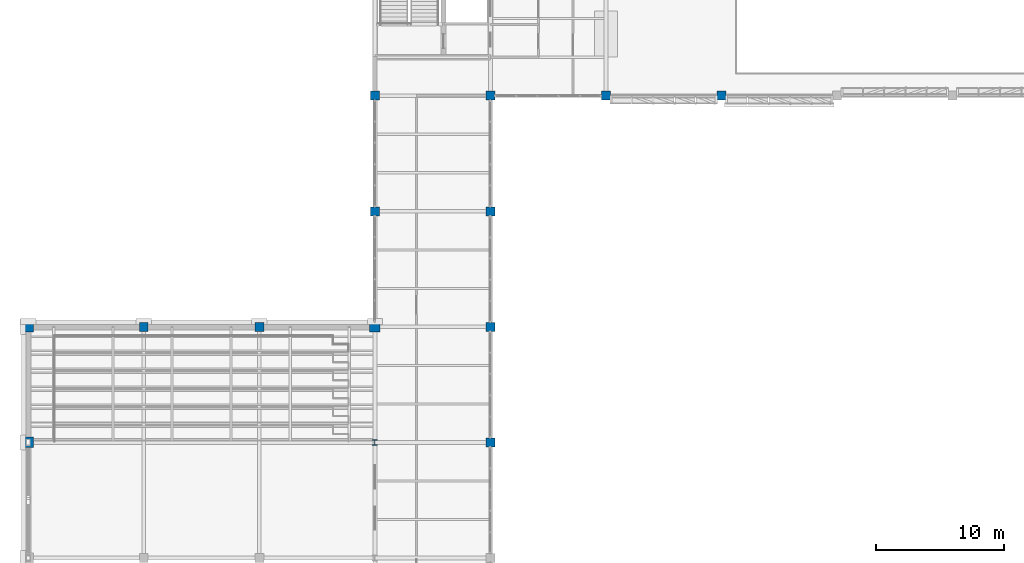
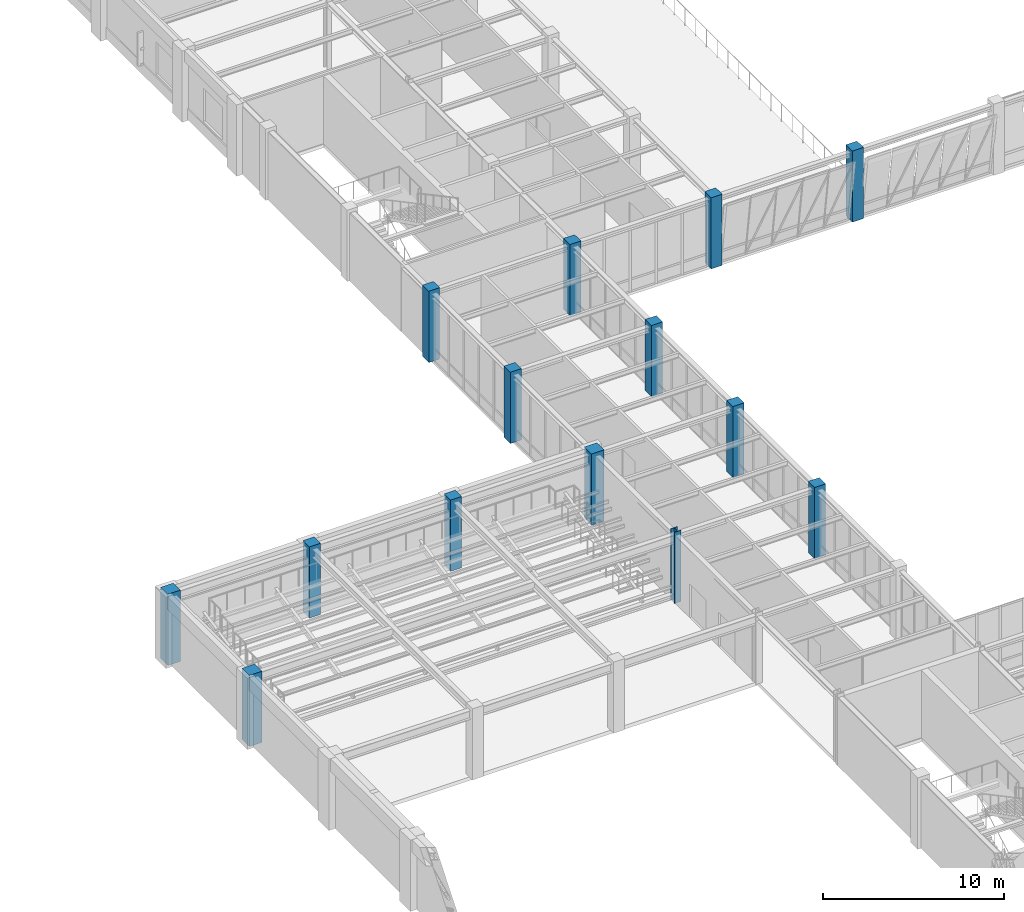
# One storey, part 3 of 98: 14 columns.
"""IFC4 building model written with IfcOpenShell, lengths in metres."""

from ifc_helpers import new_model, si_unit, direction, frame, origin, origin_2d, place, context, subcontext, project, spatial, rectangle, i_section, extrude, material, material_profile, profile_set, type_object, element, save


model = new_model("IFC4")

# Units and contexts
model_context = context("Model", 3, precision=1e-05, world=origin(), true_north=direction((0.0, 1.0)))
body_context = subcontext(model_context, "Body", "Model", "MODEL_VIEW")
ifc_project = project(units=[si_unit("LENGTHUNIT", "METRE"), si_unit("AREAUNIT", "SQUARE_METRE"), si_unit("VOLUMEUNIT", "CUBIC_METRE"), si_unit("PLANEANGLEUNIT", "RADIAN"), si_unit("MASSUNIT", "GRAM", prefix="KILO")], contexts=[model_context])

# Site, building, storey
site_placement = place(None, origin())
site = spatial("IfcSite", under=ifc_project, at=site_placement, CompositionType="ELEMENT")
building_placement = place(site_placement, origin())
building = spatial("IfcBuilding", under=site, at=building_placement, Name="Lykobir Media Centre", CompositionType="ELEMENT")
storey_placement = place(building_placement, frame((0.0, 0.0, 10.199951171875)))
storey = spatial("IfcBuildingStorey", under=building, at=storey_placement, Name="L02", CompositionType="ELEMENT", Elevation=10.199951171875)

# Columns
ifc_material_1 = material(Name="Concrete C40/50", Category="concrete")
ifc_material_profile_1 = material_profile(ifc_material_1, rectangle(XDim=0.699951171875, YDim=0.699951171875, at=origin_2d()), Name="RC 700x700")
ifc_profile_set_1 = profile_set([ifc_material_profile_1], Name="Concrete C40/50")
column_type_1 = type_object("IfcColumnType", Name="RC-C700", PredefinedType="COLUMN", material=ifc_profile_set_1)
for number, where, z_axis, x_axis, name in (
    (1, (9.0, 45.0, 0.0), (0.0, 0.0, 1.0), (1.0, 0.0, 0.0), "Column COL-L02-0090-0450"),
    (2, (18.0, 45.0, 0.0), (0.0, 0.0, 1.0), (1.0, 0.0, 0.0), "Column COL-L02-0180-0450"),
    (3, (27.0, 54.0, 0.0), (0.0, 0.0, 1.0), (1.0, 0.0, 0.0), "Column COL-L02-0270-0540"),
    (4, (27.0, 63.0, 0.0), (0.0, 0.0, 1.0), (1.0, 0.0, 0.0), "Column COL-L02-0270-0630"),
    (5, (36.0, 36.0, 0.0), (0.0, 0.0, 1.0), (1.0, 0.0, 0.0), "Column COL-L02-0360-0360"),
    (6, (36.0, 45.0, 0.0), (0.0, 0.0, 1.0), (1.0, 0.0, 0.0), "Column COL-L02-0360-0450"),
    (7, (36.0, 54.0, 0.0), (0.0, 0.0, 1.0), (1.0, 0.0, 0.0), "Column COL-L02-0360-0540"),
    (8, (36.0, 63.0, 0.0), (0.0, 0.0, 1.0), (1.0, 0.0, 0.0), "Column COL-L02-0360-0630"),
    (9, (45.0, 63.0, 0.0), (0.0, 0.0, 1.0), (1.0, 0.0, 0.0), "Column COL-L02-0450-0630"),
    (10, (54.0, 63.0, 0.0), (0.0, 0.0, 1.0), (1.0, 0.0, 0.0), "Column COL-L02-0540-0630"),
):
    element("IfcColumn", number, at=place(storey_placement, frame(where, z_axis=z_axis, x_axis=x_axis)), inside=storey, type_object=column_type_1, Name=name, PredefinedType="COLUMN", context=body_context, shape_type="SweptSolid", body=[
        extrude(rectangle(XDim=0.699951171875, YDim=0.699951171875, at=origin_2d()), origin(), (0.0, 0.0, 1.0), 4.800048828125),
    ])
ifc_material_profile_2 = material_profile(ifc_material_1, rectangle(XDim=0.800048828125, YDim=0.800048828125, at=origin_2d()), Name="RC 800x800")
ifc_profile_set_2 = profile_set([ifc_material_profile_2], Name="Concrete C40/50")
column_type_2 = type_object("IfcColumnType", Name="RC-C800", PredefinedType="COLUMN", material=ifc_profile_set_2)
column_1_placement = place(storey_placement, frame((27.0, 45.0, 0.0), z_axis=(0.0, 0.0, 1.0), x_axis=(1.0, 0.0, 0.0)))
element("IfcColumn", 11, at=column_1_placement, inside=storey, type_object=column_type_2, Name="Column COL-L02-0270-0450", PredefinedType="COLUMN", context=body_context, shape_type="SweptSolid", body=[
    extrude(rectangle(XDim=0.800048828125, YDim=0.800048828125, at=origin_2d()), origin(), (0.0, 0.0, 1.0), 4.800048828125),
])
ifc_material_profile_3 = material_profile(ifc_material_1, rectangle(XDim=0.800048828125, YDim=0.800048828125, at=origin_2d()), Name="RC 800x800")
ifc_profile_set_3 = profile_set([ifc_material_profile_3], Name="Concrete C40/50")
column_type_3 = type_object("IfcColumnType", Name="RC-C800-E", PredefinedType="COLUMN", material=ifc_profile_set_3)
for number, where, z_axis, x_axis, name in (
    (12, (0.0, 36.0, 0.0), (0.0, 0.0, 1.0), (1.0, 0.0, 0.0), "Column COL-L02-0000-0360"),
    (13, (0.0, 45.0, 0.0), (0.0, 0.0, 1.0), (1.0, 0.0, 0.0), "Column COL-L02-0000-0450"),
):
    element("IfcColumn", number, at=place(storey_placement, frame(where, z_axis=z_axis, x_axis=x_axis)), inside=storey, type_object=column_type_3, Name=name, PredefinedType="COLUMN", context=body_context, shape_type="SweptSolid", body=[
        extrude(rectangle(XDim=0.800048828125, YDim=0.800048828125, at=origin_2d()), origin(), (0.0, 0.0, 1.0), 4.800048828125),
    ])
ifc_material_2 = material(Name="Steel S355", Category="steel")
ifc_material_profile_4 = material_profile(ifc_material_2, i_section(OverallWidth=0.410888671875, OverallDepth=0.425048828125, WebThickness=0.021484375, FlangeThickness=0.031982421875, at=origin_2d()), Name="HD 400x421")
ifc_profile_set_4 = profile_set([ifc_material_profile_4], Name="Steel S355")
column_type_4 = type_object("IfcColumnType", Name="SC-HD421", PredefinedType="COLUMN", material=ifc_profile_set_4)
column_2_placement = place(storey_placement, frame((27.0, 36.0, 0.0), z_axis=(0.0, 0.0, 1.0), x_axis=(1.0, 0.0, 0.0)))
element("IfcColumn", 14, at=column_2_placement, inside=storey, type_object=column_type_4, Name="Column COL-L02-0270-0360", PredefinedType="COLUMN", context=body_context, shape_type="SweptSolid", body=[
    extrude(i_section(OverallWidth=0.410888671875, OverallDepth=0.425048828125, WebThickness=0.021484375, FlangeThickness=0.031982421875, at=origin_2d()), origin(), (0.0, 0.0, 1.0), 4.800048828125),
])

save(model, "model.ifc")
